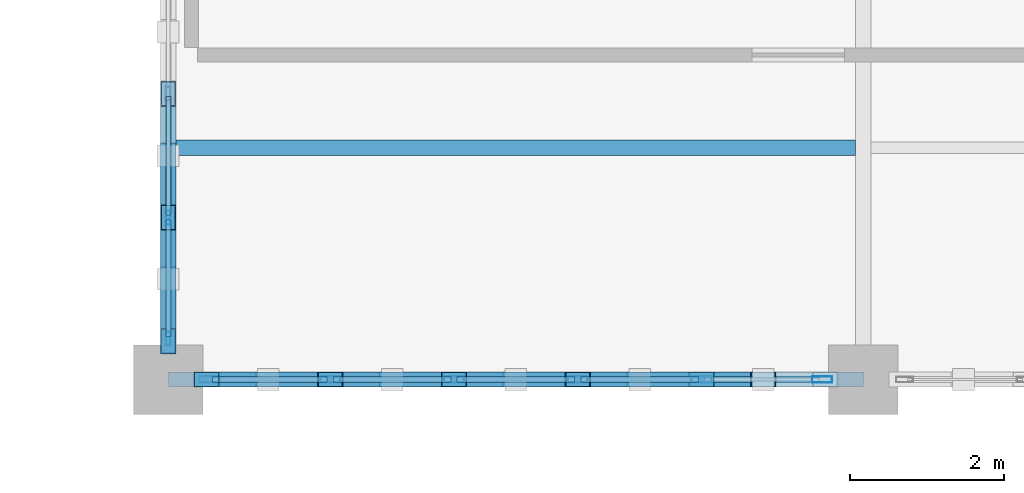
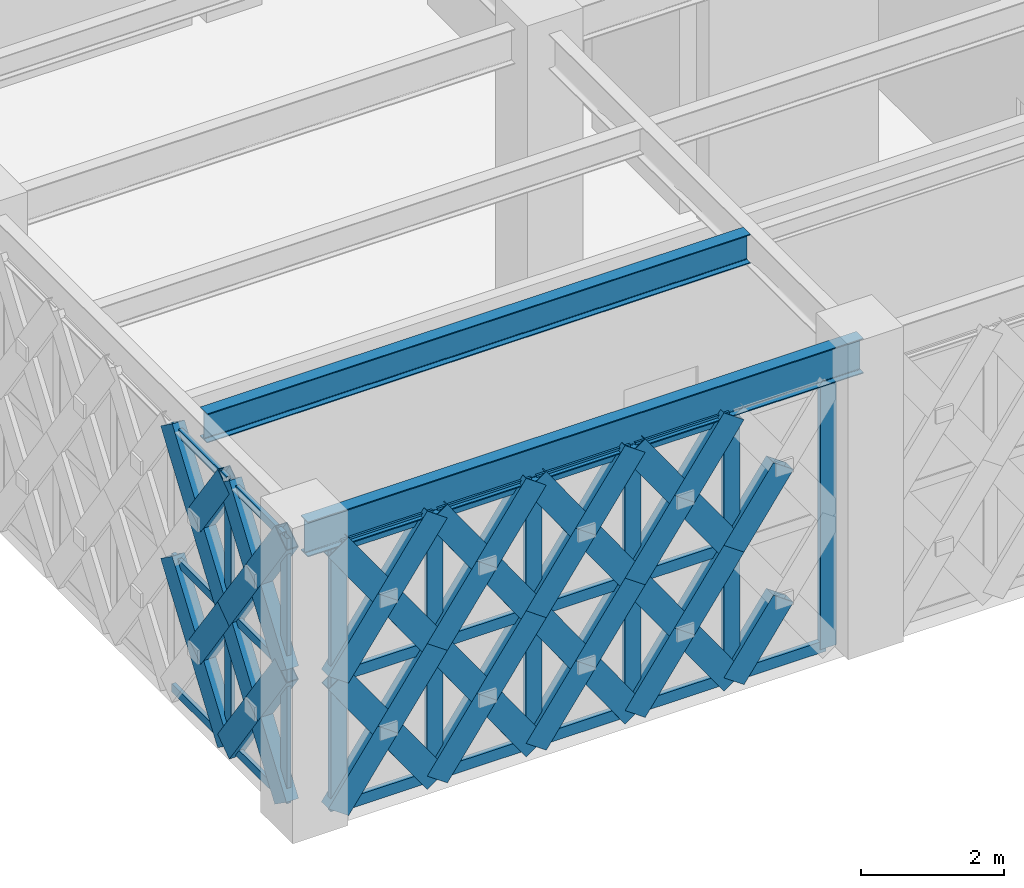
# One storey, part 7 of 166: 63 members, 2 beams, 2 elements without a shape of their own.
"""IFC4 building model written with IfcOpenShell, lengths in metres."""

from ifc_helpers import new_model, si_unit, direction, frame, origin, origin_2d, place, context, subcontext, project, spatial, hollow_rectangle, i_section, extrude, material, material_profile, profile_set, type_object, element, aggregate, save


model = new_model("IFC4")

# Units and contexts
model_context = context("Model", 3, precision=1e-05, world=origin(), true_north=direction((0.0, 1.0)))
body_context = subcontext(model_context, "Body", "Model", "MODEL_VIEW")
ifc_project = project(units=[si_unit("LENGTHUNIT", "METRE"), si_unit("AREAUNIT", "SQUARE_METRE"), si_unit("VOLUMEUNIT", "CUBIC_METRE"), si_unit("PLANEANGLEUNIT", "RADIAN"), si_unit("MASSUNIT", "GRAM", prefix="KILO")], contexts=[model_context])

# Site, building, storey
site_placement = place(None, origin())
site = spatial("IfcSite", under=ifc_project, at=site_placement, CompositionType="ELEMENT")
building_placement = place(site_placement, origin())
building = spatial("IfcBuilding", under=site, at=building_placement, Name="Haizhuo Lancet Aquarium", CompositionType="ELEMENT")
storey_placement = place(building_placement, frame((0.0, 0.0, 5.39990234375)))
storey = spatial("IfcBuildingStorey", under=building, at=storey_placement, Name="L01", CompositionType="ELEMENT", Elevation=5.39990234375)

# Beam
ifc_material_1 = material(Name="Steel S355", Category="steel")
ifc_material_profile_1 = material_profile(ifc_material_1, i_section(OverallWidth=0.199951171875, OverallDepth=0.60009765625, WebThickness=0.010986328125, FlangeThickness=0.01708984375, FilletRadius=0.02197265625, at=origin_2d()), Name="HN 600x200x11x17")
ifc_profile_set_1 = profile_set([ifc_material_profile_1], Name="Steel S355")
beam_type_1 = type_object("IfcBeamType", Name="BM-ST-HN600", PredefinedType="BEAM", material=ifc_profile_set_1)
beam_1_placement = place(storey_placement, frame((-72.0, -27.0, 4.840087890625), z_axis=(1.0, 0.0, 0.0), x_axis=(0.0, 1.0, 0.0)))
element("IfcBeam", 1, at=beam_1_placement, inside=storey, type_object=beam_type_1, Name="L01 V6 primary girder BM-L01-V6-005", PredefinedType="BEAM", context=body_context, shape_type="SweptSolid", body=[
    extrude(i_section(OverallWidth=0.199951171875, OverallDepth=0.60009765625, WebThickness=0.010986328125, FlangeThickness=0.01708984375, FilletRadius=0.02197265625, at=origin_2d()), origin(), (0.0, 0.0, 1.0), 9.0),
])

# Curtain wall, members
ifc_material_2 = material(Name="Aluminium 6063-T6", Category="aluminium")
curtain_wall_type = type_object("IfcCurtainWallType", Name="CWD-8010x4540", PredefinedType="NOTDEFINED", material=ifc_material_2)
curtain_wall_1_placement = place(storey_placement, origin())
curtain_wall_1 = element("IfcCurtainWall", 2, at=curtain_wall_1_placement, inside=storey, type_object=curtain_wall_type, Name="L01 curtain wall CW-V6-L01-211", PredefinedType="NOTDEFINED")
ifc_material_profile_2 = material_profile(ifc_material_2, hollow_rectangle(XDim=0.06494140625, YDim=0.179931640625, WallThickness=0.00390625, at=origin_2d()), Name="ALU-M 65x180x4")
ifc_profile_set_2 = profile_set([ifc_material_profile_2], Name="Aluminium 6063-T6")
member_type_1 = type_object("IfcMemberType", Name="CW-MUL-1", PredefinedType="MULLION", material=ifc_profile_set_2)
member_1_placement = place(storey_placement, frame((-72.0, -26.472900390625, 0.0), z_axis=(0.0, 0.0, 1.0), x_axis=(-1.0, 0.0, 0.0)))
member_1 = element("IfcMember", 3, at=member_1_placement, type_object=member_type_1, Name="CWD-80x45 mullion 1", PredefinedType="MULLION", context=body_context, shape_type="SweptSolid", body=[
    extrude(hollow_rectangle(XDim=0.06494140625, YDim=0.179931640625, WallThickness=0.00390625, at=origin_2d()), origin(), (0.0, 0.0, 1.0), 4.5400390625),
])
member_2_placement = place(storey_placement, frame((-72.0, -24.903076171875, 0.0), z_axis=(0.0, 0.0, 1.0), x_axis=(-1.0, 0.0, 0.0)))
member_2 = element("IfcMember", 4, at=member_2_placement, type_object=member_type_1, Name="CWD-80x45 mullion 2", PredefinedType="MULLION", context=body_context, shape_type="SweptSolid", body=[
    extrude(hollow_rectangle(XDim=0.06494140625, YDim=0.179931640625, WallThickness=0.00390625, at=origin_2d()), origin(), (0.0, 0.0, 1.0), 4.5400390625),
])

curtain_wall_2_placement = place(storey_placement, origin())
curtain_wall_2 = element("IfcCurtainWall", 5, at=curtain_wall_2_placement, inside=storey, type_object=curtain_wall_type, Name="L01 curtain wall CW-V6-L01-210", PredefinedType="NOTDEFINED")
ifc_material_profile_3 = material_profile(ifc_material_2, hollow_rectangle(XDim=0.080078125, YDim=0.260009765625, WallThickness=0.0048828125, at=origin_2d()), Name="ALU-M 80x260x5")
ifc_profile_set_3 = profile_set([ifc_material_profile_3], Name="Aluminium 6063-T6")
member_type_2 = type_object("IfcMemberType", Name="CW-MUL-3", PredefinedType="MULLION", material=ifc_profile_set_3)
member_3_placement = place(storey_placement, frame((-63.534912109375, -27.0, 0.0), z_axis=(0.0, 0.0, 1.0), x_axis=(0.0, -1.0, 0.0)))
member_3 = element("IfcMember", 6, at=member_3_placement, type_object=member_type_2, Name="CWD-80x45 mullion 1", PredefinedType="MULLION", context=body_context, shape_type="SweptSolid", body=[
    extrude(hollow_rectangle(XDim=0.080078125, YDim=0.260009765625, WallThickness=0.0048828125, at=origin_2d()), origin(), (0.0, 0.0, 1.0), 4.5400390625),
])
member_4_placement = place(storey_placement, frame((-65.096923828125, -27.0, 0.0), z_axis=(0.0, 0.0, 1.0), x_axis=(0.0, -1.0, 0.0)))
member_4 = element("IfcMember", 7, at=member_4_placement, type_object=member_type_2, Name="CWD-80x45 mullion 2", PredefinedType="MULLION", context=body_context, shape_type="SweptSolid", body=[
    extrude(hollow_rectangle(XDim=0.080078125, YDim=0.260009765625, WallThickness=0.0048828125, at=origin_2d()), origin(), (0.0, 0.0, 1.0), 4.5400390625),
])
member_5_placement = place(storey_placement, frame((-66.698974609375, -27.0, 0.0), z_axis=(0.0, 0.0, 1.0), x_axis=(0.0, -1.0, 0.0)))
member_5 = element("IfcMember", 8, at=member_5_placement, type_object=member_type_2, Name="CWD-80x45 mullion 3", PredefinedType="MULLION", context=body_context, shape_type="SweptSolid", body=[
    extrude(hollow_rectangle(XDim=0.080078125, YDim=0.260009765625, WallThickness=0.0048828125, at=origin_2d()), origin(), (0.0, 0.0, 1.0), 4.5400390625),
])
member_6_placement = place(storey_placement, frame((-68.301025390625, -27.0, 0.0), z_axis=(0.0, 0.0, 1.0), x_axis=(0.0, -1.0, 0.0)))
member_6 = element("IfcMember", 9, at=member_6_placement, type_object=member_type_2, Name="CWD-80x45 mullion 4", PredefinedType="MULLION", context=body_context, shape_type="SweptSolid", body=[
    extrude(hollow_rectangle(XDim=0.080078125, YDim=0.260009765625, WallThickness=0.0048828125, at=origin_2d()), origin(), (0.0, 0.0, 1.0), 4.5400390625),
])
member_7_placement = place(storey_placement, frame((-69.903076171875, -27.0, 0.0), z_axis=(0.0, 0.0, 1.0), x_axis=(0.0, -1.0, 0.0)))
member_7 = element("IfcMember", 10, at=member_7_placement, type_object=member_type_2, Name="CWD-80x45 mullion 5", PredefinedType="MULLION", context=body_context, shape_type="SweptSolid", body=[
    extrude(hollow_rectangle(XDim=0.080078125, YDim=0.260009765625, WallThickness=0.0048828125, at=origin_2d()), origin(), (0.0, 0.0, 1.0), 4.5400390625),
])
member_8_placement = place(storey_placement, frame((-71.465087890625, -27.0, 0.0), z_axis=(0.0, 0.0, 1.0), x_axis=(0.0, -1.0, 0.0)))
member_8 = element("IfcMember", 11, at=member_8_placement, type_object=member_type_2, Name="CWD-80x45 mullion 6", PredefinedType="MULLION", context=body_context, shape_type="SweptSolid", body=[
    extrude(hollow_rectangle(XDim=0.080078125, YDim=0.260009765625, WallThickness=0.0048828125, at=origin_2d()), origin(), (0.0, 0.0, 1.0), 4.5400390625),
])

# Member
ifc_material_profile_4 = material_profile(ifc_material_2, hollow_rectangle(XDim=0.06494140625, YDim=0.139892578125, WallThickness=0.00390625, at=origin_2d()), Name="ALU-T 65x140x4")
ifc_profile_set_4 = profile_set([ifc_material_profile_4], Name="Aluminium 6063-T6")
member_type_3 = type_object("IfcMemberType", Name="CW-TRN-1", PredefinedType="NOTDEFINED", material=ifc_profile_set_4)
member_9_placement = place(storey_placement, frame((-72.0, -26.43994140625, 0.033203125), z_axis=(0.0, 1.0, 0.0), x_axis=(-1.0, 0.0, 0.0)))
member_9 = element("IfcMember", 12, at=member_9_placement, type_object=member_type_3, Name="CWD-80x45 transom 1.1", ObjectType="TRANSOM", PredefinedType="USERDEFINED", context=body_context, shape_type="SweptSolid", body=[
    extrude(hollow_rectangle(XDim=0.06494140625, YDim=0.139892578125, WallThickness=0.00390625, at=origin_2d()), origin(), (0.0, 0.0, 1.0), 1.5048828125),
])

member_10_placement = place(storey_placement, frame((-72.0, -26.43994140625, 2.27001953125), z_axis=(0.0, 1.0, 0.0), x_axis=(-1.0, 0.0, 0.0)))
member_10 = element("IfcMember", 13, at=member_10_placement, type_object=member_type_3, Name="CWD-80x45 transom 1.2", ObjectType="TRANSOM", PredefinedType="USERDEFINED", context=body_context, shape_type="SweptSolid", body=[
    extrude(hollow_rectangle(XDim=0.06494140625, YDim=0.139892578125, WallThickness=0.00390625, at=origin_2d()), origin(), (0.0, 0.0, 1.0), 1.5048828125),
])

member_11_placement = place(storey_placement, frame((-72.0, -26.43994140625, 4.507080078125), z_axis=(0.0, 1.0, 0.0), x_axis=(-1.0, 0.0, 0.0)))
member_11 = element("IfcMember", 14, at=member_11_placement, type_object=member_type_3, Name="CWD-80x45 transom 1.3", ObjectType="TRANSOM", PredefinedType="USERDEFINED", context=body_context, shape_type="SweptSolid", body=[
    extrude(hollow_rectangle(XDim=0.06494140625, YDim=0.139892578125, WallThickness=0.00390625, at=origin_2d()), origin(), (0.0, 0.0, 1.0), 1.5048828125),
])

member_12_placement = place(storey_placement, frame((-72.0, -24.8701171875, 0.033203125), z_axis=(0.0, 1.0, 0.0), x_axis=(-1.0, 0.0, 0.0)))
member_12 = element("IfcMember", 15, at=member_12_placement, type_object=member_type_3, Name="CWD-80x45 transom 2.1", ObjectType="TRANSOM", PredefinedType="USERDEFINED", context=body_context, shape_type="SweptSolid", body=[
    extrude(hollow_rectangle(XDim=0.06494140625, YDim=0.139892578125, WallThickness=0.00390625, at=origin_2d()), origin(), (0.0, 0.0, 1.0), 1.5361328125),
])

member_13_placement = place(storey_placement, frame((-72.0, -24.8701171875, 2.27001953125), z_axis=(0.0, 1.0, 0.0), x_axis=(-1.0, 0.0, 0.0)))
member_13 = element("IfcMember", 16, at=member_13_placement, type_object=member_type_3, Name="CWD-80x45 transom 2.2", ObjectType="TRANSOM", PredefinedType="USERDEFINED", context=body_context, shape_type="SweptSolid", body=[
    extrude(hollow_rectangle(XDim=0.06494140625, YDim=0.139892578125, WallThickness=0.00390625, at=origin_2d()), origin(), (0.0, 0.0, 1.0), 1.5361328125),
])

member_14_placement = place(storey_placement, frame((-72.0, -24.8701171875, 4.507080078125), z_axis=(0.0, 1.0, 0.0), x_axis=(-1.0, 0.0, 0.0)))
member_14 = element("IfcMember", 17, at=member_14_placement, type_object=member_type_3, Name="CWD-80x45 transom 2.3", ObjectType="TRANSOM", PredefinedType="USERDEFINED", context=body_context, shape_type="SweptSolid", body=[
    extrude(hollow_rectangle(XDim=0.06494140625, YDim=0.139892578125, WallThickness=0.00390625, at=origin_2d()), origin(), (0.0, 0.0, 1.0), 1.5361328125),
])

aggregate(curtain_wall_1, [member_1, member_2, member_9, member_10, member_11, member_12, member_13, member_14])

ifc_material_profile_5 = material_profile(ifc_material_2, hollow_rectangle(XDim=0.080078125, YDim=0.18994140625, WallThickness=0.0048828125, at=origin_2d()), Name="ALU-T 80x190x5")
ifc_profile_set_5 = profile_set([ifc_material_profile_5], Name="Aluminium 6063-T6")
member_type_4 = type_object("IfcMemberType", Name="CW-TRN-3", PredefinedType="NOTDEFINED", material=ifc_profile_set_5)
member_15_placement = place(storey_placement, frame((-63.574951171875, -27.0, 0.0400390625), z_axis=(-1.0, 0.0, 0.0), x_axis=(0.0, -1.0, 0.0)))
member_15 = element("IfcMember", 18, at=member_15_placement, type_object=member_type_4, Name="CWD-80x45 transom 1.1", ObjectType="TRANSOM", PredefinedType="USERDEFINED", context=body_context, shape_type="SweptSolid", body=[
    extrude(hollow_rectangle(XDim=0.080078125, YDim=0.18994140625, WallThickness=0.0048828125, at=origin_2d()), origin(), (0.0, 0.0, 1.0), 1.48193359375),
])

member_16_placement = place(storey_placement, frame((-65.136962890625, -27.0, 0.0400390625), z_axis=(-1.0, 0.0, 0.0), x_axis=(0.0, -1.0, 0.0)))
member_16 = element("IfcMember", 19, at=member_16_placement, type_object=member_type_4, Name="CWD-80x45 transom 2.1", ObjectType="TRANSOM", PredefinedType="USERDEFINED", context=body_context, shape_type="SweptSolid", body=[
    extrude(hollow_rectangle(XDim=0.080078125, YDim=0.18994140625, WallThickness=0.0048828125, at=origin_2d()), origin(), (0.0, 0.0, 1.0), 1.52197265625),
])

member_17_placement = place(storey_placement, frame((-65.136962890625, -27.0, 2.27001953125), z_axis=(-1.0, 0.0, 0.0), x_axis=(0.0, -1.0, 0.0)))
member_17 = element("IfcMember", 20, at=member_17_placement, type_object=member_type_4, Name="CWD-80x45 transom 2.2", ObjectType="TRANSOM", PredefinedType="USERDEFINED", context=body_context, shape_type="SweptSolid", body=[
    extrude(hollow_rectangle(XDim=0.080078125, YDim=0.18994140625, WallThickness=0.0048828125, at=origin_2d()), origin(), (0.0, 0.0, 1.0), 1.52197265625),
])

member_18_placement = place(storey_placement, frame((-65.136962890625, -27.0, 4.5), z_axis=(-1.0, 0.0, 0.0), x_axis=(0.0, -1.0, 0.0)))
member_18 = element("IfcMember", 21, at=member_18_placement, type_object=member_type_4, Name="CWD-80x45 transom 2.3", ObjectType="TRANSOM", PredefinedType="USERDEFINED", context=body_context, shape_type="SweptSolid", body=[
    extrude(hollow_rectangle(XDim=0.080078125, YDim=0.18994140625, WallThickness=0.0048828125, at=origin_2d()), origin(), (0.0, 0.0, 1.0), 1.52197265625),
])

member_19_placement = place(storey_placement, frame((-66.739013671875, -27.0, 0.0400390625), z_axis=(-1.0, 0.0, 0.0), x_axis=(0.0, -1.0, 0.0)))
member_19 = element("IfcMember", 22, at=member_19_placement, type_object=member_type_4, Name="CWD-80x45 transom 3.1", ObjectType="TRANSOM", PredefinedType="USERDEFINED", context=body_context, shape_type="SweptSolid", body=[
    extrude(hollow_rectangle(XDim=0.080078125, YDim=0.18994140625, WallThickness=0.0048828125, at=origin_2d()), origin(), (0.0, 0.0, 1.0), 1.52197265625),
])

member_20_placement = place(storey_placement, frame((-66.739013671875, -27.0, 2.27001953125), z_axis=(-1.0, 0.0, 0.0), x_axis=(0.0, -1.0, 0.0)))
member_20 = element("IfcMember", 23, at=member_20_placement, type_object=member_type_4, Name="CWD-80x45 transom 3.2", ObjectType="TRANSOM", PredefinedType="USERDEFINED", context=body_context, shape_type="SweptSolid", body=[
    extrude(hollow_rectangle(XDim=0.080078125, YDim=0.18994140625, WallThickness=0.0048828125, at=origin_2d()), origin(), (0.0, 0.0, 1.0), 1.52197265625),
])

member_21_placement = place(storey_placement, frame((-66.739013671875, -27.0, 4.5), z_axis=(-1.0, 0.0, 0.0), x_axis=(0.0, -1.0, 0.0)))
member_21 = element("IfcMember", 24, at=member_21_placement, type_object=member_type_4, Name="CWD-80x45 transom 3.3", ObjectType="TRANSOM", PredefinedType="USERDEFINED", context=body_context, shape_type="SweptSolid", body=[
    extrude(hollow_rectangle(XDim=0.080078125, YDim=0.18994140625, WallThickness=0.0048828125, at=origin_2d()), origin(), (0.0, 0.0, 1.0), 1.52197265625),
])

member_22_placement = place(storey_placement, frame((-68.341064453125, -27.0, 0.0400390625), z_axis=(-1.0, 0.0, 0.0), x_axis=(0.0, -1.0, 0.0)))
member_22 = element("IfcMember", 25, at=member_22_placement, type_object=member_type_4, Name="CWD-80x45 transom 4.1", ObjectType="TRANSOM", PredefinedType="USERDEFINED", context=body_context, shape_type="SweptSolid", body=[
    extrude(hollow_rectangle(XDim=0.080078125, YDim=0.18994140625, WallThickness=0.0048828125, at=origin_2d()), origin(), (0.0, 0.0, 1.0), 1.52197265625),
])

member_23_placement = place(storey_placement, frame((-68.341064453125, -27.0, 2.27001953125), z_axis=(-1.0, 0.0, 0.0), x_axis=(0.0, -1.0, 0.0)))
member_23 = element("IfcMember", 26, at=member_23_placement, type_object=member_type_4, Name="CWD-80x45 transom 4.2", ObjectType="TRANSOM", PredefinedType="USERDEFINED", context=body_context, shape_type="SweptSolid", body=[
    extrude(hollow_rectangle(XDim=0.080078125, YDim=0.18994140625, WallThickness=0.0048828125, at=origin_2d()), origin(), (0.0, 0.0, 1.0), 1.52197265625),
])

member_24_placement = place(storey_placement, frame((-68.341064453125, -27.0, 4.5), z_axis=(-1.0, 0.0, 0.0), x_axis=(0.0, -1.0, 0.0)))
member_24 = element("IfcMember", 27, at=member_24_placement, type_object=member_type_4, Name="CWD-80x45 transom 4.3", ObjectType="TRANSOM", PredefinedType="USERDEFINED", context=body_context, shape_type="SweptSolid", body=[
    extrude(hollow_rectangle(XDim=0.080078125, YDim=0.18994140625, WallThickness=0.0048828125, at=origin_2d()), origin(), (0.0, 0.0, 1.0), 1.52197265625),
])

member_25_placement = place(storey_placement, frame((-69.943115234375, -27.0, 0.0400390625), z_axis=(-1.0, 0.0, 0.0), x_axis=(0.0, -1.0, 0.0)))
member_25 = element("IfcMember", 28, at=member_25_placement, type_object=member_type_4, Name="CWD-80x45 transom 5.1", ObjectType="TRANSOM", PredefinedType="USERDEFINED", context=body_context, shape_type="SweptSolid", body=[
    extrude(hollow_rectangle(XDim=0.080078125, YDim=0.18994140625, WallThickness=0.0048828125, at=origin_2d()), origin(), (0.0, 0.0, 1.0), 1.48193359375),
])

member_26_placement = place(storey_placement, frame((-69.943115234375, -27.0, 2.27001953125), z_axis=(-1.0, 0.0, 0.0), x_axis=(0.0, -1.0, 0.0)))
member_26 = element("IfcMember", 29, at=member_26_placement, type_object=member_type_4, Name="CWD-80x45 transom 5.2", ObjectType="TRANSOM", PredefinedType="USERDEFINED", context=body_context, shape_type="SweptSolid", body=[
    extrude(hollow_rectangle(XDim=0.080078125, YDim=0.18994140625, WallThickness=0.0048828125, at=origin_2d()), origin(), (0.0, 0.0, 1.0), 1.48193359375),
])

member_27_placement = place(storey_placement, frame((-69.943115234375, -27.0, 4.5), z_axis=(-1.0, 0.0, 0.0), x_axis=(0.0, -1.0, 0.0)))
member_27 = element("IfcMember", 30, at=member_27_placement, type_object=member_type_4, Name="CWD-80x45 transom 5.3", ObjectType="TRANSOM", PredefinedType="USERDEFINED", context=body_context, shape_type="SweptSolid", body=[
    extrude(hollow_rectangle(XDim=0.080078125, YDim=0.18994140625, WallThickness=0.0048828125, at=origin_2d()), origin(), (0.0, 0.0, 1.0), 1.48193359375),
])

aggregate(curtain_wall_2, [member_3, member_4, member_5, member_6, member_7, member_8, member_15, member_16, member_17, member_18, member_19, member_20, member_21, member_22, member_23, member_24, member_25, member_26, member_27])

# Beam
ifc_material_profile_6 = material_profile(ifc_material_1, i_section(OverallWidth=0.199951171875, OverallDepth=0.5, WebThickness=0.010009765625, FlangeThickness=0.01611328125, FilletRadius=0.02001953125, at=origin_2d()), Name="HN 500x200x10x16")
ifc_profile_set_6 = profile_set([ifc_material_profile_6], Name="Steel S355")
beam_type_2 = type_object("IfcBeamType", Name="JST-ST-HN500", PredefinedType="JOIST", material=ifc_profile_set_6)
beam_2_placement = place(storey_placement, frame((-71.89990234375, -24.0, 4.89013671875), z_axis=(1.0, 0.0, 0.0), x_axis=(0.0, 1.0, 0.0)))
element("IfcBeam", 31, at=beam_2_placement, inside=storey, type_object=beam_type_2, Name="L01 V6 secondary floor joist 3", PredefinedType="JOIST", context=body_context, shape_type="SweptSolid", body=[
    extrude(i_section(OverallWidth=0.199951171875, OverallDepth=0.5, WebThickness=0.010009765625, FlangeThickness=0.01611328125, FilletRadius=0.02001953125, at=origin_2d()), origin(), (0.0, 0.0, 1.0), 8.7998046875),
])

# Members
ifc_material_profile_7 = material_profile(ifc_material_1, hollow_rectangle(XDim=0.199951171875, YDim=0.39990234375, WallThickness=0.011962890625, at=origin_2d()), Name="RHS 200x400x12")
ifc_profile_set_7 = profile_set([ifc_material_profile_7], Name="Steel S355")
member_type_5 = type_object("IfcMemberType", Name="MEM-LB-RHS200x400", PredefinedType="BRACE", material=ifc_profile_set_7)
for number, where, z_axis, x_axis, name in (
    (32, (-65.096923828125, -27.0, 0.0), (0.576607297585, 0.0, 0.817021434463), (0.0, 1.0, 0.0), "Gothic lancet split diagonal brace CW-V6-L01-210 1B1"),
    (33, (-65.096923828125, -27.0, 2.27001953125), (0.576607297585, 0.0, 0.817021434463), (0.0, 1.0, 0.0), "Gothic lancet split diagonal brace CW-V6-L01-210 2B1"),
):
    element("IfcMember", number, at=place(storey_placement, frame(where, z_axis=z_axis, x_axis=x_axis)), inside=storey, type_object=member_type_5, Name=name, PredefinedType="BRACE", context=body_context, shape_type="SweptSolid", body=[
        extrude(hollow_rectangle(XDim=0.199951171875, YDim=0.39990234375, WallThickness=0.011962890625, at=origin_2d()), origin(), (0.0, 0.0, 1.0), 1.38916015625),
    ])
member_28_placement = place(storey_placement, frame((-65.096923828125, -27.0, 0.0), z_axis=(-0.576607297585, 0.0, 0.817021434463), x_axis=(0.0, -1.0, 0.0)))
element("IfcMember", 34, at=member_28_placement, inside=storey, type_object=member_type_5, Name="Gothic lancet continuous diagonal brace CW-V6-L01-210 3A", PredefinedType="BRACE", context=body_context, shape_type="SweptSolid", body=[
    extrude(hollow_rectangle(XDim=0.199951171875, YDim=0.39990234375, WallThickness=0.011962890625, at=origin_2d()), origin(), (0.0, 0.0, 1.0), 2.7783203125),
])
for number, where, z_axis, x_axis, name in (
    (35, (-66.698974609375, -27.0, 0.0), (0.576607297585, 0.0, 0.817021434463), (0.0, 1.0, 0.0), "Gothic lancet split diagonal brace CW-V6-L01-210 3B1"),
    (36, (-65.89794921875, -27.0, 1.135009765625), (0.576607297585, 0.0, 0.817021434463), (0.0, 1.0, 0.0), "Gothic lancet split diagonal brace CW-V6-L01-210 3B2"),
):
    element("IfcMember", number, at=place(storey_placement, frame(where, z_axis=z_axis, x_axis=x_axis)), inside=storey, type_object=member_type_5, Name=name, PredefinedType="BRACE", context=body_context, shape_type="SweptSolid", body=[
        extrude(hollow_rectangle(XDim=0.199951171875, YDim=0.39990234375, WallThickness=0.011962890625, at=origin_2d()), origin(), (0.0, 0.0, 1.0), 1.38916015625),
    ])
member_29_placement = place(storey_placement, frame((-65.096923828125, -27.0, 2.27001953125), z_axis=(-0.576607297585, 0.0, 0.817021434463), x_axis=(0.0, -1.0, 0.0)))
element("IfcMember", 37, at=member_29_placement, inside=storey, type_object=member_type_5, Name="Gothic lancet continuous diagonal brace CW-V6-L01-210 4A", PredefinedType="BRACE", context=body_context, shape_type="SweptSolid", body=[
    extrude(hollow_rectangle(XDim=0.199951171875, YDim=0.39990234375, WallThickness=0.011962890625, at=origin_2d()), origin(), (0.0, 0.0, 1.0), 2.7783203125),
])
for number, where, z_axis, x_axis, name in (
    (38, (-66.698974609375, -27.0, 2.27001953125), (0.576607297585, 0.0, 0.817021434463), (0.0, 1.0, 0.0), "Gothic lancet split diagonal brace CW-V6-L01-210 4B1"),
    (39, (-65.89794921875, -27.0, 3.405029296875), (0.576607297585, 0.0, 0.817021434463), (0.0, 1.0, 0.0), "Gothic lancet split diagonal brace CW-V6-L01-210 4B2"),
):
    element("IfcMember", number, at=place(storey_placement, frame(where, z_axis=z_axis, x_axis=x_axis)), inside=storey, type_object=member_type_5, Name=name, PredefinedType="BRACE", context=body_context, shape_type="SweptSolid", body=[
        extrude(hollow_rectangle(XDim=0.199951171875, YDim=0.39990234375, WallThickness=0.011962890625, at=origin_2d()), origin(), (0.0, 0.0, 1.0), 1.38916015625),
    ])
member_30_placement = place(storey_placement, frame((-66.698974609375, -27.0, 0.0), z_axis=(-0.576607297585, 0.0, 0.817021434463), x_axis=(0.0, -1.0, 0.0)))
element("IfcMember", 40, at=member_30_placement, inside=storey, type_object=member_type_5, Name="Gothic lancet continuous diagonal brace CW-V6-L01-210 5A", PredefinedType="BRACE", context=body_context, shape_type="SweptSolid", body=[
    extrude(hollow_rectangle(XDim=0.199951171875, YDim=0.39990234375, WallThickness=0.011962890625, at=origin_2d()), origin(), (0.0, 0.0, 1.0), 2.7783203125),
])
for number, where, z_axis, x_axis, name in (
    (41, (-68.301025390625, -27.0, 0.0), (0.576607297585, 0.0, 0.817021434463), (0.0, 1.0, 0.0), "Gothic lancet split diagonal brace CW-V6-L01-210 5B1"),
    (42, (-67.5, -27.0, 1.135009765625), (0.576607297585, 0.0, 0.817021434463), (0.0, 1.0, 0.0), "Gothic lancet split diagonal brace CW-V6-L01-210 5B2"),
):
    element("IfcMember", number, at=place(storey_placement, frame(where, z_axis=z_axis, x_axis=x_axis)), inside=storey, type_object=member_type_5, Name=name, PredefinedType="BRACE", context=body_context, shape_type="SweptSolid", body=[
        extrude(hollow_rectangle(XDim=0.199951171875, YDim=0.39990234375, WallThickness=0.011962890625, at=origin_2d()), origin(), (0.0, 0.0, 1.0), 1.38916015625),
    ])
member_31_placement = place(storey_placement, frame((-66.698974609375, -27.0, 2.27001953125), z_axis=(-0.576607297585, 0.0, 0.817021434463), x_axis=(0.0, -1.0, 0.0)))
element("IfcMember", 43, at=member_31_placement, inside=storey, type_object=member_type_5, Name="Gothic lancet continuous diagonal brace CW-V6-L01-210 6A", PredefinedType="BRACE", context=body_context, shape_type="SweptSolid", body=[
    extrude(hollow_rectangle(XDim=0.199951171875, YDim=0.39990234375, WallThickness=0.011962890625, at=origin_2d()), origin(), (0.0, 0.0, 1.0), 2.7783203125),
])
for number, where, z_axis, x_axis, name in (
    (44, (-68.301025390625, -27.0, 2.27001953125), (0.576607297585, 0.0, 0.817021434463), (0.0, 1.0, 0.0), "Gothic lancet split diagonal brace CW-V6-L01-210 6B1"),
    (45, (-67.5, -27.0, 3.405029296875), (0.576607297585, 0.0, 0.817021434463), (0.0, 1.0, 0.0), "Gothic lancet split diagonal brace CW-V6-L01-210 6B2"),
):
    element("IfcMember", number, at=place(storey_placement, frame(where, z_axis=z_axis, x_axis=x_axis)), inside=storey, type_object=member_type_5, Name=name, PredefinedType="BRACE", context=body_context, shape_type="SweptSolid", body=[
        extrude(hollow_rectangle(XDim=0.199951171875, YDim=0.39990234375, WallThickness=0.011962890625, at=origin_2d()), origin(), (0.0, 0.0, 1.0), 1.38916015625),
    ])
member_32_placement = place(storey_placement, frame((-68.301025390625, -27.0, 0.0), z_axis=(-0.576607297585, 0.0, 0.817021434463), x_axis=(0.0, -1.0, 0.0)))
element("IfcMember", 46, at=member_32_placement, inside=storey, type_object=member_type_5, Name="Gothic lancet continuous diagonal brace CW-V6-L01-210 7A", PredefinedType="BRACE", context=body_context, shape_type="SweptSolid", body=[
    extrude(hollow_rectangle(XDim=0.199951171875, YDim=0.39990234375, WallThickness=0.011962890625, at=origin_2d()), origin(), (0.0, 0.0, 1.0), 2.7783203125),
])
for number, where, z_axis, x_axis, name in (
    (47, (-69.903076171875, -27.0, 0.0), (0.576607297585, 0.0, 0.817021434463), (0.0, 1.0, 0.0), "Gothic lancet split diagonal brace CW-V6-L01-210 7B1"),
    (48, (-69.10205078125, -27.0, 1.135009765625), (0.576607297585, 0.0, 0.817021434463), (0.0, 1.0, 0.0), "Gothic lancet split diagonal brace CW-V6-L01-210 7B2"),
):
    element("IfcMember", number, at=place(storey_placement, frame(where, z_axis=z_axis, x_axis=x_axis)), inside=storey, type_object=member_type_5, Name=name, PredefinedType="BRACE", context=body_context, shape_type="SweptSolid", body=[
        extrude(hollow_rectangle(XDim=0.199951171875, YDim=0.39990234375, WallThickness=0.011962890625, at=origin_2d()), origin(), (0.0, 0.0, 1.0), 1.38916015625),
    ])
member_33_placement = place(storey_placement, frame((-68.301025390625, -27.0, 2.27001953125), z_axis=(-0.576607297585, 0.0, 0.817021434463), x_axis=(0.0, -1.0, 0.0)))
element("IfcMember", 49, at=member_33_placement, inside=storey, type_object=member_type_5, Name="Gothic lancet continuous diagonal brace CW-V6-L01-210 8A", PredefinedType="BRACE", context=body_context, shape_type="SweptSolid", body=[
    extrude(hollow_rectangle(XDim=0.199951171875, YDim=0.39990234375, WallThickness=0.011962890625, at=origin_2d()), origin(), (0.0, 0.0, 1.0), 2.7783203125),
])
for number, where, z_axis, x_axis, name in (
    (50, (-69.903076171875, -27.0, 2.27001953125), (0.576607297585, 0.0, 0.817021434463), (0.0, 1.0, 0.0), "Gothic lancet split diagonal brace CW-V6-L01-210 8B1"),
    (51, (-69.10205078125, -27.0, 3.405029296875), (0.576607297585, 0.0, 0.817021434463), (0.0, 1.0, 0.0), "Gothic lancet split diagonal brace CW-V6-L01-210 8B2"),
):
    element("IfcMember", number, at=place(storey_placement, frame(where, z_axis=z_axis, x_axis=x_axis)), inside=storey, type_object=member_type_5, Name=name, PredefinedType="BRACE", context=body_context, shape_type="SweptSolid", body=[
        extrude(hollow_rectangle(XDim=0.199951171875, YDim=0.39990234375, WallThickness=0.011962890625, at=origin_2d()), origin(), (0.0, 0.0, 1.0), 1.38916015625),
    ])
member_34_placement = place(storey_placement, frame((-69.903076171875, -27.0, 0.0), z_axis=(-0.576548637348, 0.0, 0.81706283037), x_axis=(0.0, -1.0, 0.0)))
element("IfcMember", 52, at=member_34_placement, inside=storey, type_object=member_type_5, Name="Gothic lancet continuous diagonal brace CW-V6-L01-210 9A", PredefinedType="BRACE", context=body_context, shape_type="SweptSolid", body=[
    extrude(hollow_rectangle(XDim=0.199951171875, YDim=0.39990234375, WallThickness=0.011962890625, at=origin_2d()), origin(), (0.0, 0.0, 1.0), 2.7783203125),
])
for number, where, z_axis, x_axis, name in (
    (53, (-71.5048828125, -27.0, 0.0), (0.576489968194, 0.0, 0.81710422626), (0.0, 1.0, 0.0), "Gothic lancet split diagonal brace CW-V6-L01-210 9B1"),
    (54, (-70.7041015625, -27.0, 1.135009765625), (0.576607297585, 0.0, 0.817021434463), (0.0, 1.0, 0.0), "Gothic lancet split diagonal brace CW-V6-L01-210 9B2"),
):
    element("IfcMember", number, at=place(storey_placement, frame(where, z_axis=z_axis, x_axis=x_axis)), inside=storey, type_object=member_type_5, Name=name, PredefinedType="BRACE", context=body_context, shape_type="SweptSolid", body=[
        extrude(hollow_rectangle(XDim=0.199951171875, YDim=0.39990234375, WallThickness=0.011962890625, at=origin_2d()), origin(), (0.0, 0.0, 1.0), 1.38916015625),
    ])
member_35_placement = place(storey_placement, frame((-69.903076171875, -27.0, 2.27001953125), z_axis=(-0.576548637348, 0.0, 0.81706283037), x_axis=(0.0, -1.0, 0.0)))
element("IfcMember", 55, at=member_35_placement, inside=storey, type_object=member_type_5, Name="Gothic lancet continuous diagonal brace CW-V6-L01-210 10A", PredefinedType="BRACE", context=body_context, shape_type="SweptSolid", body=[
    extrude(hollow_rectangle(XDim=0.199951171875, YDim=0.39990234375, WallThickness=0.011962890625, at=origin_2d()), origin(), (0.0, 0.0, 1.0), 2.7783203125),
])
for number, where, z_axis, x_axis, name in (
    (56, (-71.5048828125, -27.0, 2.27001953125), (0.576489968194, 0.0, 0.81710422626), (0.0, 1.0, 0.0), "Gothic lancet split diagonal brace CW-V6-L01-210 10B1"),
    (57, (-70.7041015625, -27.0, 3.405029296875), (0.576607297585, 0.0, 0.817021434463), (0.0, 1.0, 0.0), "Gothic lancet split diagonal brace CW-V6-L01-210 10B2"),
):
    element("IfcMember", number, at=place(storey_placement, frame(where, z_axis=z_axis, x_axis=x_axis)), inside=storey, type_object=member_type_5, Name=name, PredefinedType="BRACE", context=body_context, shape_type="SweptSolid", body=[
        extrude(hollow_rectangle(XDim=0.199951171875, YDim=0.39990234375, WallThickness=0.011962890625, at=origin_2d()), origin(), (0.0, 0.0, 1.0), 1.38916015625),
    ])
member_36_placement = place(storey_placement, frame((-72.0, -26.5048828125, 0.0), z_axis=(0.0, 0.576548637348, 0.81706283037), x_axis=(-1.0, 0.0, 0.0)))
element("IfcMember", 58, at=member_36_placement, inside=storey, type_object=member_type_5, Name="Gothic lancet continuous diagonal brace CW-V6-L01-211 1A", PredefinedType="BRACE", context=body_context, shape_type="SweptSolid", body=[
    extrude(hollow_rectangle(XDim=0.199951171875, YDim=0.39990234375, WallThickness=0.011962890625, at=origin_2d()), origin(), (0.0, 0.0, 1.0), 2.7783203125),
])
for number, where, z_axis, x_axis, name in (
    (59, (-72.0, -24.903076171875, 0.0), (0.0, -0.576607297585, 0.817021434463), (1.0, 0.0, 0.0), "Gothic lancet split diagonal brace CW-V6-L01-211 1B1"),
    (60, (-72.0, -25.7041015625, 1.135009765625), (0.0, -0.576489968194, 0.81710422626), (1.0, 0.0, 0.0), "Gothic lancet split diagonal brace CW-V6-L01-211 1B2"),
):
    element("IfcMember", number, at=place(storey_placement, frame(where, z_axis=z_axis, x_axis=x_axis)), inside=storey, type_object=member_type_5, Name=name, PredefinedType="BRACE", context=body_context, shape_type="SweptSolid", body=[
        extrude(hollow_rectangle(XDim=0.199951171875, YDim=0.39990234375, WallThickness=0.011962890625, at=origin_2d()), origin(), (0.0, 0.0, 1.0), 1.38916015625),
    ])
member_37_placement = place(storey_placement, frame((-72.0, -26.5048828125, 2.27001953125), z_axis=(0.0, 0.576548637348, 0.81706283037), x_axis=(-1.0, 0.0, 0.0)))
element("IfcMember", 61, at=member_37_placement, inside=storey, type_object=member_type_5, Name="Gothic lancet continuous diagonal brace CW-V6-L01-211 2A", PredefinedType="BRACE", context=body_context, shape_type="SweptSolid", body=[
    extrude(hollow_rectangle(XDim=0.199951171875, YDim=0.39990234375, WallThickness=0.011962890625, at=origin_2d()), origin(), (0.0, 0.0, 1.0), 2.7783203125),
])
for number, where, z_axis, x_axis, name in (
    (62, (-72.0, -24.903076171875, 2.27001953125), (0.0, -0.576607297585, 0.817021434463), (1.0, 0.0, 0.0), "Gothic lancet split diagonal brace CW-V6-L01-211 2B1"),
    (63, (-72.0, -25.7041015625, 3.405029296875), (0.0, -0.576489968194, 0.81710422626), (1.0, 0.0, 0.0), "Gothic lancet split diagonal brace CW-V6-L01-211 2B2"),
):
    element("IfcMember", number, at=place(storey_placement, frame(where, z_axis=z_axis, x_axis=x_axis)), inside=storey, type_object=member_type_5, Name=name, PredefinedType="BRACE", context=body_context, shape_type="SweptSolid", body=[
        extrude(hollow_rectangle(XDim=0.199951171875, YDim=0.39990234375, WallThickness=0.011962890625, at=origin_2d()), origin(), (0.0, 0.0, 1.0), 1.38916015625),
    ])
member_38_placement = place(storey_placement, frame((-72.0, -24.903076171875, 0.0), z_axis=(0.0, 0.576607297585, 0.817021434463), x_axis=(-1.0, 0.0, 0.0)))
element("IfcMember", 64, at=member_38_placement, inside=storey, type_object=member_type_5, Name="Gothic lancet continuous diagonal brace CW-V6-L01-211 3A", PredefinedType="BRACE", context=body_context, shape_type="SweptSolid", body=[
    extrude(hollow_rectangle(XDim=0.199951171875, YDim=0.39990234375, WallThickness=0.011962890625, at=origin_2d()), origin(), (0.0, 0.0, 1.0), 2.7783203125),
])
member_39_placement = place(storey_placement, frame((-72.0, -24.10205078125, 1.135009765625), z_axis=(0.0, -0.576607297585, 0.817021434463), x_axis=(1.0, 0.0, 0.0)))
element("IfcMember", 65, at=member_39_placement, inside=storey, type_object=member_type_5, Name="Gothic lancet split diagonal brace CW-V6-L01-211 3B2", PredefinedType="BRACE", context=body_context, shape_type="SweptSolid", body=[
    extrude(hollow_rectangle(XDim=0.199951171875, YDim=0.39990234375, WallThickness=0.011962890625, at=origin_2d()), origin(), (0.0, 0.0, 1.0), 1.38916015625),
])
member_40_placement = place(storey_placement, frame((-72.0, -24.903076171875, 2.27001953125), z_axis=(0.0, 0.576607297585, 0.817021434463), x_axis=(-1.0, 0.0, 0.0)))
element("IfcMember", 66, at=member_40_placement, inside=storey, type_object=member_type_5, Name="Gothic lancet continuous diagonal brace CW-V6-L01-211 4A", PredefinedType="BRACE", context=body_context, shape_type="SweptSolid", body=[
    extrude(hollow_rectangle(XDim=0.199951171875, YDim=0.39990234375, WallThickness=0.011962890625, at=origin_2d()), origin(), (0.0, 0.0, 1.0), 2.7783203125),
])
member_41_placement = place(storey_placement, frame((-72.0, -24.10205078125, 3.405029296875), z_axis=(0.0, -0.576607297585, 0.817021434463), x_axis=(1.0, 0.0, 0.0)))
element("IfcMember", 67, at=member_41_placement, inside=storey, type_object=member_type_5, Name="Gothic lancet split diagonal brace CW-V6-L01-211 4B2", PredefinedType="BRACE", context=body_context, shape_type="SweptSolid", body=[
    extrude(hollow_rectangle(XDim=0.199951171875, YDim=0.39990234375, WallThickness=0.011962890625, at=origin_2d()), origin(), (0.0, 0.0, 1.0), 1.38916015625),
])

save(model, "model.ifc")
